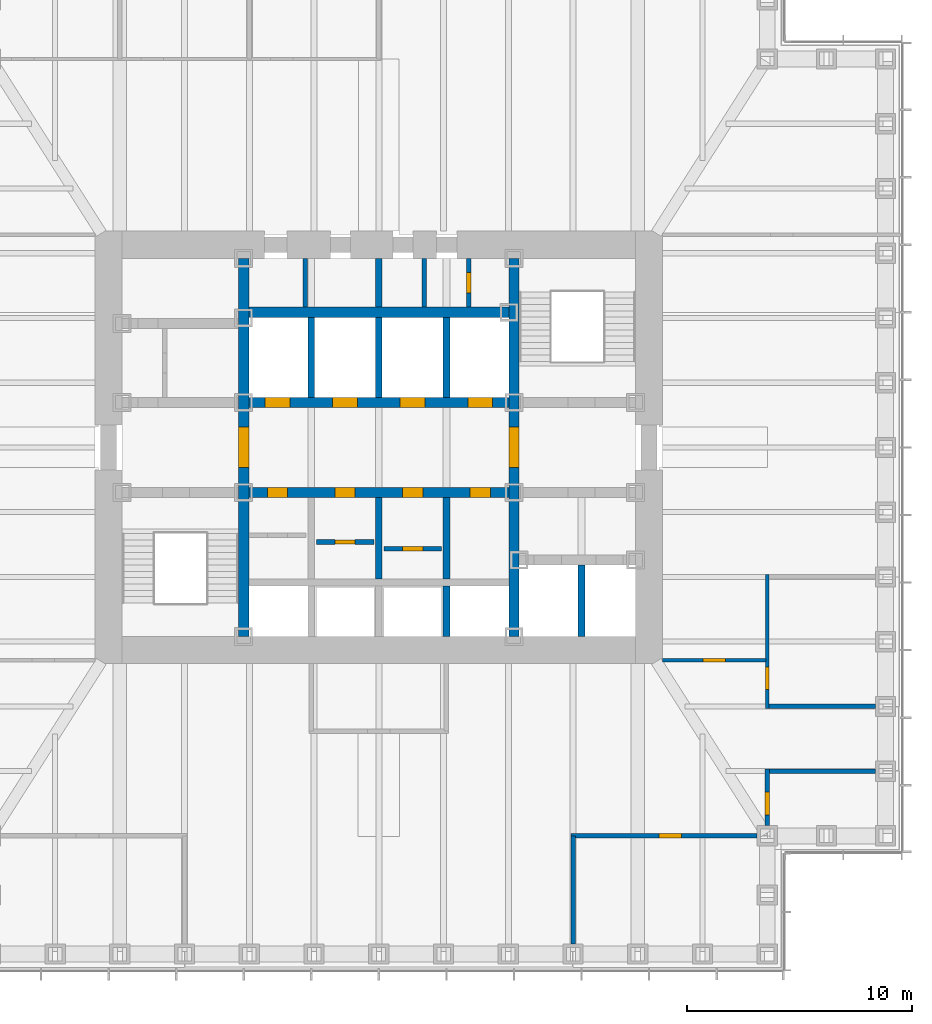
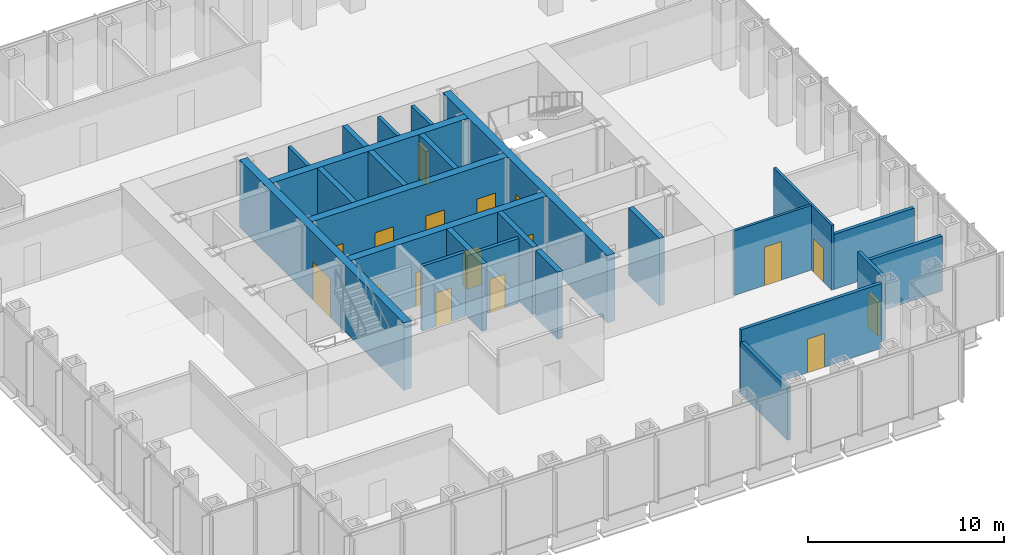
# One storey, part 9 of 16: 25 walls, 17 doors, 17 openings.
"""IFC4 building model written with IfcOpenShell, lengths in metres."""

from ifc_helpers import new_model, si_unit, direction, frame, frame_2d, origin, place, context, subcontext, project, spatial, rectangle, extrude, material, layer, layer_set, type_object, element, fill, save


model = new_model("IFC4")

# Units and contexts
model_context = context("Model", 3, precision=1e-05, world=origin(), true_north=direction((0.0, 1.0)))
body_context = subcontext(model_context, "Body", "Model", "MODEL_VIEW")
ifc_project = project(units=[si_unit("LENGTHUNIT", "METRE"), si_unit("AREAUNIT", "SQUARE_METRE"), si_unit("VOLUMEUNIT", "CUBIC_METRE"), si_unit("PLANEANGLEUNIT", "RADIAN"), si_unit("MASSUNIT", "GRAM", prefix="KILO")], contexts=[model_context])

# Site, building, storey
site_placement = place(None, origin())
site = spatial("IfcSite", under=ifc_project, at=site_placement, CompositionType="ELEMENT")
building_placement = place(site_placement, origin())
building = spatial("IfcBuilding", under=site, at=building_placement, Name="Daluyong Arena Tower", CompositionType="ELEMENT")
storey_placement = place(building_placement, frame((0.0, 0.0, 137.5)))
storey = spatial("IfcBuildingStorey", under=building, at=storey_placement, Name="L30", CompositionType="ELEMENT", Elevation=137.5)

# Wall, opening, door
ifc_material_1 = material(Name="Concrete fc' 45 MPa", Category="concrete")
ifc_layer_1 = layer(ifc_material_1, 0.449951171875)
ifc_layer_set_1 = layer_set([ifc_layer_1], Name="Concrete fc' 45 MPa")
wall_type_1 = type_object("IfcWallType", Name="Core inner wall 450", PredefinedType="SHEAR", material=ifc_layer_set_1)
wall_1_placement = place(storey_placement, frame((50.0, 71.60009765625, 0.0), z_axis=(0.0, 0.0, 1.0), x_axis=(0.0, 1.0, 0.0)))
wall_1 = element("IfcWall", 1, at=wall_1_placement, inside=storey, type_object=wall_type_1, Name="core inner wall at L30", PredefinedType="SHEAR", context=body_context, shape_type="SweptSolid", body=[
    extrude(rectangle(XDim=16.7998046875, YDim=0.449951171875, at=frame_2d((8.39990234375, 0.0))), origin(), (0.0, 0.0, 1.0), 4.199951171875),
])
opening_1_placement = place(wall_1_placement, frame((7.5, 0.0, 0.0)))
opening_1 = element("IfcOpeningElement", 2, at=opening_1_placement, cuts=wall_1, Name="Opening 30020", PredefinedType="OPENING", context=body_context, shape_type="SweptSolid", body=[
    extrude(rectangle(XDim=1.800048828125, YDim=2.39990234375, at=frame_2d((0.89990234375, 1.199951171875))), frame((0.0, 0.23486328125, 0.0), z_axis=(0.0, -1.0, 0.0), x_axis=(1.0, 0.0, 0.0)), (0.0, 0.0, 1.0), 0.469970703125),
])
ifc_material_2 = material(Name="Steel door, fire rated", Category="steel")
door_type_1 = type_object("IfcDoorType", Name="Lift lobby opening door 1800", OperationType="DOUBLE_DOOR_SINGLE_SWING", PredefinedType="DOOR", material=ifc_material_2)
door_1_placement = place(opening_1_placement, origin())
door_1 = element("IfcDoor", 3, at=door_1_placement, inside=storey, type_object=door_type_1, Name="lift lobby door west 30020", OperationType="DOUBLE_DOOR_SINGLE_SWING", OverallHeight=2.39990234375, OverallWidth=1.800048828125, PredefinedType="DOOR", context=body_context, shape_type="SweptSolid", body=[
    extrude(rectangle(XDim=1.800048828125, YDim=2.39990234375, at=frame_2d((0.89990234375, 1.199951171875))), frame((0.0, 0.224609375, 0.0), z_axis=(0.0, -1.0, 0.0), x_axis=(1.0, 0.0, 0.0)), (0.0, 0.0, 1.0), 0.449462890625),
])
fill(opening_1, door_1)

wall_2_placement = place(storey_placement, frame((62.0, 71.60009765625, 0.0), z_axis=(0.0, 0.0, 1.0), x_axis=(0.0, 1.0, 0.0)))
wall_2 = element("IfcWall", 4, at=wall_2_placement, inside=storey, type_object=wall_type_1, Name="core inner wall at L30", PredefinedType="SHEAR", context=body_context, shape_type="SweptSolid", body=[
    extrude(rectangle(XDim=16.7998046875, YDim=0.449951171875, at=frame_2d((8.39990234375, 0.0))), origin(), (0.0, 0.0, 1.0), 4.199951171875),
])
opening_2_placement = place(wall_2_placement, frame((7.5, 0.0, 0.0)))
opening_2 = element("IfcOpeningElement", 5, at=opening_2_placement, cuts=wall_2, Name="Opening 30021", PredefinedType="OPENING", context=body_context, shape_type="SweptSolid", body=[
    extrude(rectangle(XDim=1.800048828125, YDim=2.39990234375, at=frame_2d((0.89990234375, 1.199951171875))), frame((0.0, 0.23486328125, 0.0), z_axis=(0.0, -1.0, 0.0), x_axis=(1.0, 0.0, 0.0)), (0.0, 0.0, 1.0), 0.469970703125),
])
door_2_placement = place(opening_2_placement, origin())
door_2 = element("IfcDoor", 6, at=door_2_placement, inside=storey, type_object=door_type_1, Name="lift lobby door east 30021", OperationType="DOUBLE_DOOR_SINGLE_SWING", OverallHeight=2.39990234375, OverallWidth=1.800048828125, PredefinedType="DOOR", context=body_context, shape_type="SweptSolid", body=[
    extrude(rectangle(XDim=1.800048828125, YDim=2.39990234375, at=frame_2d((0.89990234375, 1.199951171875))), frame((0.0, 0.224609375, 0.0), z_axis=(0.0, -1.0, 0.0), x_axis=(1.0, 0.0, 0.0)), (0.0, 0.0, 1.0), 0.449462890625),
])
fill(opening_2, door_2)

# Wall, openings, doors
wall_3_placement = place(storey_placement, frame((50.22509765625, 78.0, 0.0), z_axis=(0.0, 0.0, 1.0), x_axis=(1.0, 0.0, 0.0)))
wall_3 = element("IfcWall", 7, at=wall_3_placement, inside=storey, type_object=wall_type_1, Name="core inner wall at L30", PredefinedType="SHEAR", context=body_context, shape_type="SweptSolid", body=[
    extrude(rectangle(XDim=11.5498046875, YDim=0.449951171875, at=frame_2d((5.77490234375, 0.0))), origin(), (0.0, 0.0, 1.0), 4.199951171875),
])
opening_3_placement = place(wall_3_placement, frame((0.824951171875, 0.0, 0.0)))
opening_3 = element("IfcOpeningElement", 8, at=opening_3_placement, cuts=wall_3, Name="Opening 30009", PredefinedType="OPENING", context=body_context, shape_type="SweptSolid", body=[
    extrude(rectangle(XDim=0.89990234375, YDim=2.10009765625, at=frame_2d((0.449951171875, 1.050048828125))), frame((0.0, 0.23486328125, 0.0), z_axis=(0.0, -1.0, 0.0), x_axis=(1.0, 0.0, 0.0)), (0.0, 0.0, 1.0), 0.469970703125),
])
opening_4_placement = place(wall_3_placement, frame((3.824951171875, 0.0, 0.0)))
opening_4 = element("IfcOpeningElement", 9, at=opening_4_placement, cuts=wall_3, Name="Opening 30011", PredefinedType="OPENING", context=body_context, shape_type="SweptSolid", body=[
    extrude(rectangle(XDim=0.89990234375, YDim=2.10009765625, at=frame_2d((0.449951171875, 1.050048828125))), frame((0.0, 0.23486328125, 0.0), z_axis=(0.0, -1.0, 0.0), x_axis=(1.0, 0.0, 0.0)), (0.0, 0.0, 1.0), 0.469970703125),
])
opening_5_placement = place(wall_3_placement, frame((6.824951171875, 0.0, 0.0)))
opening_5 = element("IfcOpeningElement", 10, at=opening_5_placement, cuts=wall_3, Name="Opening 30013", PredefinedType="OPENING", context=body_context, shape_type="SweptSolid", body=[
    extrude(rectangle(XDim=0.89990234375, YDim=2.10009765625, at=frame_2d((0.449951171875, 1.050048828125))), frame((0.0, 0.23486328125, 0.0), z_axis=(0.0, -1.0, 0.0), x_axis=(1.0, 0.0, 0.0)), (0.0, 0.0, 1.0), 0.469970703125),
])
opening_6_placement = place(wall_3_placement, frame((9.824951171875, 0.0, 0.0)))
opening_6 = element("IfcOpeningElement", 11, at=opening_6_placement, cuts=wall_3, Name="Opening 30015", PredefinedType="OPENING", context=body_context, shape_type="SweptSolid", body=[
    extrude(rectangle(XDim=0.89990234375, YDim=2.10009765625, at=frame_2d((0.449951171875, 1.050048828125))), frame((0.0, 0.23486328125, 0.0), z_axis=(0.0, -1.0, 0.0), x_axis=(1.0, 0.0, 0.0)), (0.0, 0.0, 1.0), 0.469970703125),
])
ifc_material_3 = material(Name="Steel door, fire rated", Category="steel")
door_type_2 = type_object("IfcDoorType", Name="Core room door 900", OperationType="SINGLE_SWING_LEFT", PredefinedType="DOOR", material=ifc_material_3)
door_3_placement = place(opening_6_placement, origin())
door_3 = element("IfcDoor", 12, at=door_3_placement, inside=storey, type_object=door_type_2, Name="vending room door 30015", OperationType="SINGLE_SWING_LEFT", OverallHeight=2.10009765625, OverallWidth=0.89990234375, PredefinedType="DOOR", context=body_context, shape_type="SweptSolid", body=[
    extrude(rectangle(XDim=0.89990234375, YDim=2.10009765625, at=frame_2d((0.449951171875, 1.050048828125))), frame((0.0, 0.224609375, 0.0), z_axis=(0.0, -1.0, 0.0), x_axis=(1.0, 0.0, 0.0)), (0.0, 0.0, 1.0), 0.449462890625),
])
fill(opening_6, door_3)
ifc_material_4 = material(Name="Steel door, fire rated", Category="steel")
door_type_3 = type_object("IfcDoorType", Name="Core store door 900", OperationType="SINGLE_SWING_LEFT", PredefinedType="DOOR", material=ifc_material_4)
door_4_placement = place(opening_3_placement, origin())
door_4 = element("IfcDoor", 13, at=door_4_placement, inside=storey, type_object=door_type_3, Name="furniture store door 30009", OperationType="SINGLE_SWING_LEFT", OverallHeight=2.10009765625, OverallWidth=0.89990234375, PredefinedType="DOOR", context=body_context, shape_type="SweptSolid", body=[
    extrude(rectangle(XDim=0.89990234375, YDim=2.10009765625, at=frame_2d((0.449951171875, 1.050048828125))), frame((0.0, 0.224609375, 0.0), z_axis=(0.0, -1.0, 0.0), x_axis=(1.0, 0.0, 0.0)), (0.0, 0.0, 1.0), 0.449462890625),
])
fill(opening_3, door_4)
door_5_placement = place(opening_4_placement, origin())
door_5 = element("IfcDoor", 14, at=door_5_placement, inside=storey, type_object=door_type_3, Name="cleaner's store door 30011", OperationType="SINGLE_SWING_LEFT", OverallHeight=2.10009765625, OverallWidth=0.89990234375, PredefinedType="DOOR", context=body_context, shape_type="SweptSolid", body=[
    extrude(rectangle(XDim=0.89990234375, YDim=2.10009765625, at=frame_2d((0.449951171875, 1.050048828125))), frame((0.0, 0.224609375, 0.0), z_axis=(0.0, -1.0, 0.0), x_axis=(1.0, 0.0, 0.0)), (0.0, 0.0, 1.0), 0.449462890625),
])
fill(opening_4, door_5)
door_6_placement = place(opening_5_placement, origin())
door_6 = element("IfcDoor", 15, at=door_6_placement, inside=storey, type_object=door_type_3, Name="facilities store door 30013", OperationType="SINGLE_SWING_LEFT", OverallHeight=2.10009765625, OverallWidth=0.89990234375, PredefinedType="DOOR", context=body_context, shape_type="SweptSolid", body=[
    extrude(rectangle(XDim=0.89990234375, YDim=2.10009765625, at=frame_2d((0.449951171875, 1.050048828125))), frame((0.0, 0.224609375, 0.0), z_axis=(0.0, -1.0, 0.0), x_axis=(1.0, 0.0, 0.0)), (0.0, 0.0, 1.0), 0.449462890625),
])
fill(opening_5, door_6)

wall_4_placement = place(storey_placement, frame((50.22509765625, 82.0, 0.0), z_axis=(0.0, 0.0, 1.0), x_axis=(1.0, 0.0, 0.0)))
wall_4 = element("IfcWall", 16, at=wall_4_placement, inside=storey, type_object=wall_type_1, Name="core inner wall at L30", PredefinedType="SHEAR", context=body_context, shape_type="SweptSolid", body=[
    extrude(rectangle(XDim=11.5498046875, YDim=0.449951171875, at=frame_2d((5.77490234375, 0.0))), origin(), (0.0, 0.0, 1.0), 4.199951171875),
])
opening_7_placement = place(wall_4_placement, frame((0.72509765625, 0.0, 0.0)))
opening_7 = element("IfcOpeningElement", 17, at=opening_7_placement, cuts=wall_4, Name="Opening 30023", PredefinedType="OPENING", context=body_context, shape_type="SweptSolid", body=[
    extrude(rectangle(XDim=1.10009765625, YDim=2.199951171875, at=frame_2d((0.550048828125, 1.10009765625))), frame((0.0, 0.23486328125, 0.0), z_axis=(0.0, -1.0, 0.0), x_axis=(1.0, 0.0, 0.0)), (0.0, 0.0, 1.0), 0.469970703125),
])
opening_8_placement = place(wall_4_placement, frame((3.72509765625, 0.0, 0.0)))
opening_8 = element("IfcOpeningElement", 18, at=opening_8_placement, cuts=wall_4, Name="Opening 30024", PredefinedType="OPENING", context=body_context, shape_type="SweptSolid", body=[
    extrude(rectangle(XDim=1.10009765625, YDim=2.199951171875, at=frame_2d((0.550048828125, 1.10009765625))), frame((0.0, 0.23486328125, 0.0), z_axis=(0.0, -1.0, 0.0), x_axis=(1.0, 0.0, 0.0)), (0.0, 0.0, 1.0), 0.469970703125),
])
opening_9_placement = place(wall_4_placement, frame((6.72509765625, 0.0, 0.0)))
opening_9 = element("IfcOpeningElement", 19, at=opening_9_placement, cuts=wall_4, Name="Opening 30025", PredefinedType="OPENING", context=body_context, shape_type="SweptSolid", body=[
    extrude(rectangle(XDim=1.10009765625, YDim=2.199951171875, at=frame_2d((0.550048828125, 1.10009765625))), frame((0.0, 0.23486328125, 0.0), z_axis=(0.0, -1.0, 0.0), x_axis=(1.0, 0.0, 0.0)), (0.0, 0.0, 1.0), 0.469970703125),
])
opening_10_placement = place(wall_4_placement, frame((9.72509765625, 0.0, 0.0)))
opening_10 = element("IfcOpeningElement", 20, at=opening_10_placement, cuts=wall_4, Name="Opening 30026", PredefinedType="OPENING", context=body_context, shape_type="SweptSolid", body=[
    extrude(rectangle(XDim=1.10009765625, YDim=2.199951171875, at=frame_2d((0.550048828125, 1.10009765625))), frame((0.0, 0.23486328125, 0.0), z_axis=(0.0, -1.0, 0.0), x_axis=(1.0, 0.0, 0.0)), (0.0, 0.0, 1.0), 0.469970703125),
])
ifc_material_5 = material(Name="Steel door, fire rated", Category="steel")
door_type_4 = type_object("IfcDoorType", Name="Lift landing door 1100", OperationType="SLIDING_TO_LEFT", PredefinedType="DOOR", material=ifc_material_5)
door_7_placement = place(opening_7_placement, origin())
door_7 = element("IfcDoor", 21, at=door_7_placement, inside=storey, type_object=door_type_4, Name="lift landing door B1 30023", OperationType="SLIDING_TO_LEFT", OverallHeight=2.199951171875, OverallWidth=1.10009765625, PredefinedType="DOOR", context=body_context, shape_type="SweptSolid", body=[
    extrude(rectangle(XDim=1.10009765625, YDim=2.199951171875, at=frame_2d((0.550048828125, 1.10009765625))), frame((0.0, 0.224609375, 0.0), z_axis=(0.0, -1.0, 0.0), x_axis=(1.0, 0.0, 0.0)), (0.0, 0.0, 1.0), 0.449462890625),
])
fill(opening_7, door_7)
door_8_placement = place(opening_8_placement, origin())
door_8 = element("IfcDoor", 22, at=door_8_placement, inside=storey, type_object=door_type_4, Name="lift landing door B2 30024", OperationType="SLIDING_TO_LEFT", OverallHeight=2.199951171875, OverallWidth=1.10009765625, PredefinedType="DOOR", context=body_context, shape_type="SweptSolid", body=[
    extrude(rectangle(XDim=1.10009765625, YDim=2.199951171875, at=frame_2d((0.550048828125, 1.10009765625))), frame((0.0, 0.224609375, 0.0), z_axis=(0.0, -1.0, 0.0), x_axis=(1.0, 0.0, 0.0)), (0.0, 0.0, 1.0), 0.449462890625),
])
fill(opening_8, door_8)
door_9_placement = place(opening_9_placement, origin())
door_9 = element("IfcDoor", 23, at=door_9_placement, inside=storey, type_object=door_type_4, Name="lift landing door B3 30025", OperationType="SLIDING_TO_LEFT", OverallHeight=2.199951171875, OverallWidth=1.10009765625, PredefinedType="DOOR", context=body_context, shape_type="SweptSolid", body=[
    extrude(rectangle(XDim=1.10009765625, YDim=2.199951171875, at=frame_2d((0.550048828125, 1.10009765625))), frame((0.0, 0.224609375, 0.0), z_axis=(0.0, -1.0, 0.0), x_axis=(1.0, 0.0, 0.0)), (0.0, 0.0, 1.0), 0.449462890625),
])
fill(opening_9, door_9)
door_10_placement = place(opening_10_placement, origin())
door_10 = element("IfcDoor", 24, at=door_10_placement, inside=storey, type_object=door_type_4, Name="lift landing door B4 30026", OperationType="SLIDING_TO_LEFT", OverallHeight=2.199951171875, OverallWidth=1.10009765625, PredefinedType="DOOR", context=body_context, shape_type="SweptSolid", body=[
    extrude(rectangle(XDim=1.10009765625, YDim=2.199951171875, at=frame_2d((0.550048828125, 1.10009765625))), frame((0.0, 0.224609375, 0.0), z_axis=(0.0, -1.0, 0.0), x_axis=(1.0, 0.0, 0.0)), (0.0, 0.0, 1.0), 0.449462890625),
])
fill(opening_10, door_10)

# Walls
wall_5_placement = place(storey_placement, frame((50.22509765625, 86.0, 0.0), z_axis=(0.0, 0.0, 1.0), x_axis=(1.0, 0.0, 0.0)))
element("IfcWall", 25, at=wall_5_placement, inside=storey, type_object=wall_type_1, Name="core inner wall at L30", PredefinedType="SHEAR", context=body_context, shape_type="SweptSolid", body=[
    extrude(rectangle(XDim=11.5498046875, YDim=0.449951171875, at=frame_2d((5.77490234375, 0.0))), origin(), (0.0, 0.0, 1.0), 4.199951171875),
])
ifc_material_6 = material(Name="Concrete block partition, fire rated", Category="concrete")
ifc_layer_2 = layer(ifc_material_6, 0.199951171875)
ifc_layer_set_2 = layer_set([ifc_layer_2], Name="Concrete block partition, fire rated")
wall_type_2 = type_object("IfcWallType", Name="Fire-rated partition 200", PredefinedType="PARTITIONING", material=ifc_layer_set_2)
wall_6_placement = place(storey_placement, frame((52.72509765625, 86.22509765625, 0.0), z_axis=(0.0, 0.0, 1.0), x_axis=(0.0, 1.0, 0.0)))
element("IfcWall", 26, at=wall_6_placement, inside=storey, type_object=wall_type_2, Name="core room partition at L30", PredefinedType="PARTITIONING", context=body_context, shape_type="SweptSolid", body=[
    extrude(rectangle(XDim=2.1748046875, YDim=0.199951171875, at=frame_2d((1.08740234375, 0.0))), origin(), (0.0, 0.0, 1.0), 4.0400390625),
])

# Wall, opening, door
wall_7_placement = place(storey_placement, frame((60.0, 86.22509765625, 0.0), z_axis=(0.0, 0.0, 1.0), x_axis=(0.0, 1.0, 0.0)))
wall_7 = element("IfcWall", 27, at=wall_7_placement, inside=storey, type_object=wall_type_2, Name="electrical riser enclosure at L30", PredefinedType="PARTITIONING", context=body_context, shape_type="SweptSolid", body=[
    extrude(rectangle(XDim=2.1748046875, YDim=0.199951171875, at=frame_2d((1.08740234375, 0.0))), origin(), (0.0, 0.0, 1.0), 4.0400390625),
])
opening_11_placement = place(wall_7_placement, frame((0.637451171875, 0.0, 0.0)))
opening_11 = element("IfcOpeningElement", 28, at=opening_11_placement, cuts=wall_7, Name="Opening 30008", PredefinedType="OPENING", context=body_context, shape_type="SweptSolid", body=[
    extrude(rectangle(XDim=0.89990234375, YDim=2.10009765625, at=frame_2d((0.449951171875, 1.050048828125))), frame((0.0, 0.10986328125, 0.0), z_axis=(0.0, -1.0, 0.0), x_axis=(1.0, 0.0, 0.0)), (0.0, 0.0, 1.0), 0.219970703125),
])
ifc_material_7 = material(Name="Steel door, fire rated", Category="steel")
door_type_5 = type_object("IfcDoorType", Name="Riser door 900", OperationType="SINGLE_SWING_LEFT", PredefinedType="DOOR", material=ifc_material_7)
door_11_placement = place(opening_11_placement, origin())
door_11 = element("IfcDoor", 29, at=door_11_placement, inside=storey, type_object=door_type_5, Name="riser door 30008", OperationType="SINGLE_SWING_LEFT", OverallHeight=2.10009765625, OverallWidth=0.89990234375, PredefinedType="DOOR", context=body_context, shape_type="SweptSolid", body=[
    extrude(rectangle(XDim=0.89990234375, YDim=2.10009765625, at=frame_2d((0.449951171875, 1.050048828125))), frame((0.0, 0.099609375, 0.0), z_axis=(0.0, -1.0, 0.0), x_axis=(1.0, 0.0, 0.0)), (0.0, 0.0, 1.0), 0.199462890625),
])
fill(opening_11, door_11)

# Wall
wall_8_placement = place(storey_placement, frame((58.02490234375, 86.22509765625, 0.0), z_axis=(0.0, 0.0, 1.0), x_axis=(0.0, 1.0, 0.0)))
element("IfcWall", 30, at=wall_8_placement, inside=storey, type_object=wall_type_2, Name="core room partition at L30", PredefinedType="PARTITIONING", context=body_context, shape_type="SweptSolid", body=[
    extrude(rectangle(XDim=2.1748046875, YDim=0.199951171875, at=frame_2d((1.08740234375, 0.0))), origin(), (0.0, 0.0, 1.0), 4.0400390625),
])

# Wall, opening, door
wall_9_placement = place(storey_placement, frame((53.22509765625, 75.800048828125, 0.0), z_axis=(0.0, 0.0, 1.0), x_axis=(1.0, 0.0, 0.0)))
wall_9 = element("IfcWall", 31, at=wall_9_placement, inside=storey, type_object=wall_type_2, Name="back store partition at L30", PredefinedType="PARTITIONING", context=body_context, shape_type="SweptSolid", body=[
    extrude(rectangle(XDim=2.5498046875, YDim=0.199951171875, at=frame_2d((1.27490234375, 0.0))), origin(), (0.0, 0.0, 1.0), 4.0400390625),
])
opening_12_placement = place(wall_9_placement, frame((0.824951171875, 0.0, 0.0)))
opening_12 = element("IfcOpeningElement", 32, at=opening_12_placement, cuts=wall_9, Name="Opening 30012", PredefinedType="OPENING", context=body_context, shape_type="SweptSolid", body=[
    extrude(rectangle(XDim=0.89990234375, YDim=2.10009765625, at=frame_2d((0.449951171875, 1.050048828125))), frame((0.0, 0.10986328125, 0.0), z_axis=(0.0, -1.0, 0.0), x_axis=(1.0, 0.0, 0.0)), (0.0, 0.0, 1.0), 0.219970703125),
])
door_12_placement = place(opening_12_placement, origin())
door_12 = element("IfcDoor", 33, at=door_12_placement, inside=storey, type_object=door_type_3, Name="stationery store door 30012", OperationType="SINGLE_SWING_LEFT", OverallHeight=2.10009765625, OverallWidth=0.89990234375, PredefinedType="DOOR", context=body_context, shape_type="SweptSolid", body=[
    extrude(rectangle(XDim=0.89990234375, YDim=2.10009765625, at=frame_2d((0.449951171875, 1.050048828125))), frame((0.0, 0.099609375, 0.0), z_axis=(0.0, -1.0, 0.0), x_axis=(1.0, 0.0, 0.0)), (0.0, 0.0, 1.0), 0.199462890625),
])
fill(opening_12, door_12)

wall_10_placement = place(storey_placement, frame((56.22509765625, 75.5, 0.0), z_axis=(0.0, 0.0, 1.0), x_axis=(1.0, 0.0, 0.0)))
wall_10 = element("IfcWall", 34, at=wall_10_placement, inside=storey, type_object=wall_type_2, Name="back store partition at L30", PredefinedType="PARTITIONING", context=body_context, shape_type="SweptSolid", body=[
    extrude(rectangle(XDim=2.5498046875, YDim=0.199951171875, at=frame_2d((1.27490234375, 0.0))), origin(), (0.0, 0.0, 1.0), 4.0400390625),
])
opening_13_placement = place(wall_10_placement, frame((0.824951171875, 0.0, 0.0)))
opening_13 = element("IfcOpeningElement", 35, at=opening_13_placement, cuts=wall_10, Name="Opening 30014", PredefinedType="OPENING", context=body_context, shape_type="SweptSolid", body=[
    extrude(rectangle(XDim=0.89990234375, YDim=2.10009765625, at=frame_2d((0.449951171875, 1.050048828125))), frame((0.0, 0.10986328125, 0.0), z_axis=(0.0, -1.0, 0.0), x_axis=(1.0, 0.0, 0.0)), (0.0, 0.0, 1.0), 0.219970703125),
])
door_13_placement = place(opening_13_placement, origin())
door_13 = element("IfcDoor", 36, at=door_13_placement, inside=storey, type_object=door_type_3, Name="archive store door 30014", OperationType="SINGLE_SWING_LEFT", OverallHeight=2.10009765625, OverallWidth=0.89990234375, PredefinedType="DOOR", context=body_context, shape_type="SweptSolid", body=[
    extrude(rectangle(XDim=0.89990234375, YDim=2.10009765625, at=frame_2d((0.449951171875, 1.050048828125))), frame((0.0, 0.099609375, 0.0), z_axis=(0.0, -1.0, 0.0), x_axis=(1.0, 0.0, 0.0)), (0.0, 0.0, 1.0), 0.199462890625),
])
fill(opening_13, door_13)

ifc_material_8 = material(Name="Glazed aluminium partition", Category="aluminium")
ifc_layer_3 = layer(ifc_material_8, 0.14990234375)
ifc_layer_set_3 = layer_set([ifc_layer_3], Name="Glazed aluminium partition")
wall_type_3 = type_object("IfcWallType", Name="Glazed partition 150", PredefinedType="PARTITIONING", material=ifc_layer_set_3)
wall_11_placement = place(storey_placement, frame((68.60009765625, 70.550048828125, 0.0), z_axis=(0.0, 0.0, 1.0), x_axis=(1.0, 0.0, 0.0)))
wall_11 = element("IfcWall", 37, at=wall_11_placement, inside=storey, type_object=wall_type_3, Name="glazed partition at L30", PredefinedType="PARTITIONING", context=body_context, shape_type="SweptSolid", body=[
    extrude(rectangle(XDim=4.599853515625, YDim=0.14990234375, at=frame_2d((2.2998046875, 0.0))), origin(), (0.0, 0.0, 1.0), 4.0400390625),
])
opening_14_placement = place(wall_11_placement, frame((1.800048828125, 0.0, 0.0)))
opening_14 = element("IfcOpeningElement", 38, at=opening_14_placement, cuts=wall_11, Name="Opening 30041", PredefinedType="OPENING", context=body_context, shape_type="SweptSolid", body=[
    extrude(rectangle(XDim=1.0, YDim=2.39990234375, at=frame_2d((0.5, 1.199951171875))), frame((0.0, 0.0849609375, 0.0), z_axis=(0.0, -1.0, 0.0), x_axis=(1.0, 0.0, 0.0)), (0.0, 0.0, 1.0), 0.169921875),
])
ifc_material_9 = material(Name="Glazed aluminium door", Category="aluminium")
door_type_6 = type_object("IfcDoorType", Name="Meeting room glazed door 1000", OperationType="SINGLE_SWING_RIGHT", PredefinedType="DOOR", material=ifc_material_9)
door_14_placement = place(opening_14_placement, origin())
door_14 = element("IfcDoor", 39, at=door_14_placement, inside=storey, type_object=door_type_6, Name="team area screen door 30041", OperationType="SINGLE_SWING_RIGHT", OverallHeight=2.39990234375, OverallWidth=1.0, PredefinedType="DOOR", context=body_context, shape_type="SweptSolid", body=[
    extrude(rectangle(XDim=1.0, YDim=2.39990234375, at=frame_2d((0.5, 1.199951171875))), frame((0.0, 0.07470703125, 0.0), z_axis=(0.0, -1.0, 0.0), x_axis=(1.0, 0.0, 0.0)), (0.0, 0.0, 1.0), 0.1494140625),
])
fill(opening_14, door_14)

wall_12_placement = place(storey_placement, frame((73.25, 68.39990234375, 0.0), z_axis=(0.0, 0.0, 1.0), x_axis=(0.0, 1.0, 0.0)))
wall_12 = element("IfcWall", 40, at=wall_12_placement, inside=storey, type_object=wall_type_3, Name="glazed partition at L30", PredefinedType="PARTITIONING", context=body_context, shape_type="SweptSolid", body=[
    extrude(rectangle(XDim=5.9501953125, YDim=0.14990234375, at=frame_2d((2.97509765625, 0.0))), origin(), (0.0, 0.0, 1.0), 4.0400390625),
])
opening_15_placement = place(wall_12_placement, frame((0.85009765625, 0.0, 0.0)))
opening_15 = element("IfcOpeningElement", 41, at=opening_15_placement, cuts=wall_12, Name="Opening 30032", PredefinedType="OPENING", context=body_context, shape_type="SweptSolid", body=[
    extrude(rectangle(XDim=1.0, YDim=2.10009765625, at=frame_2d((0.5, 1.050048828125))), frame((0.0, 0.0849609375, 0.0), z_axis=(0.0, -1.0, 0.0), x_axis=(1.0, 0.0, 0.0)), (0.0, 0.0, 1.0), 0.169921875),
])
ifc_material_10 = material(Name="Timber door", Category="wood")
door_type_7 = type_object("IfcDoorType", Name="Room door 1000", OperationType="SINGLE_SWING_LEFT", PredefinedType="DOOR", material=ifc_material_10)
door_15_placement = place(opening_15_placement, origin())
door_15 = element("IfcDoor", 42, at=door_15_placement, inside=storey, type_object=door_type_7, Name="office door 30032", OperationType="SINGLE_SWING_LEFT", OverallHeight=2.10009765625, OverallWidth=1.0, PredefinedType="DOOR", context=body_context, shape_type="SweptSolid", body=[
    extrude(rectangle(XDim=1.0, YDim=2.10009765625, at=frame_2d((0.5, 1.050048828125))), frame((0.0, 0.07470703125, 0.0), z_axis=(0.0, -1.0, 0.0), x_axis=(1.0, 0.0, 0.0)), (0.0, 0.0, 1.0), 0.1494140625),
])
fill(opening_15, door_15)

# Walls
ifc_material_11 = material(Name="Concrete fc' 45 MPa", Category="concrete")
ifc_layer_4 = layer(ifc_material_11, 0.300048828125)
ifc_layer_set_4 = layer_set([ifc_layer_4], Name="Concrete fc' 45 MPa")
wall_type_4 = type_object("IfcWallType", Name="Lift shaft wall 300", PredefinedType="SHEAR", material=ifc_layer_set_4)
wall_13_placement = place(storey_placement, frame((53.0, 82.22509765625, 0.0), z_axis=(0.0, 0.0, 1.0), x_axis=(0.0, 1.0, 0.0)))
element("IfcWall", 43, at=wall_13_placement, inside=storey, type_object=wall_type_4, Name="lift shaft wall at L30", PredefinedType="SHEAR", context=body_context, shape_type="SweptSolid", body=[
    extrude(rectangle(XDim=3.5498046875, YDim=0.300048828125, at=frame_2d((1.77490234375, 0.0))), origin(), (0.0, 0.0, 1.0), 4.199951171875),
])
wall_14_placement = place(storey_placement, frame((56.0, 74.14990234375, 0.0), z_axis=(0.0, 0.0, 1.0), x_axis=(0.0, 1.0, 0.0)))
element("IfcWall", 44, at=wall_14_placement, inside=storey, type_object=wall_type_4, Name="lift shaft wall at L30", PredefinedType="SHEAR", context=body_context, shape_type="SweptSolid", body=[
    extrude(rectangle(XDim=3.625, YDim=0.300048828125, at=frame_2d((1.8125, 0.0))), origin(), (0.0, 0.0, 1.0), 4.199951171875),
])
wall_15_placement = place(storey_placement, frame((56.0, 82.22509765625, 0.0), z_axis=(0.0, 0.0, 1.0), x_axis=(0.0, 1.0, 0.0)))
element("IfcWall", 45, at=wall_15_placement, inside=storey, type_object=wall_type_4, Name="lift shaft wall at L30", PredefinedType="SHEAR", context=body_context, shape_type="SweptSolid", body=[
    extrude(rectangle(XDim=3.5498046875, YDim=0.300048828125, at=frame_2d((1.77490234375, 0.0))), origin(), (0.0, 0.0, 1.0), 4.199951171875),
])
wall_16_placement = place(storey_placement, frame((59.0, 71.60009765625, 0.0), z_axis=(0.0, 0.0, 1.0), x_axis=(0.0, 1.0, 0.0)))
element("IfcWall", 46, at=wall_16_placement, inside=storey, type_object=wall_type_4, Name="lift shaft wall at L30", PredefinedType="SHEAR", context=body_context, shape_type="SweptSolid", body=[
    extrude(rectangle(XDim=2.25, YDim=0.300048828125, at=frame_2d((1.125, 0.0))), origin(), (0.0, 0.0, 1.0), 4.199951171875),
])
wall_17_placement = place(storey_placement, frame((59.0, 74.14990234375, 0.0), z_axis=(0.0, 0.0, 1.0), x_axis=(0.0, 1.0, 0.0)))
element("IfcWall", 47, at=wall_17_placement, inside=storey, type_object=wall_type_4, Name="lift shaft wall at L30", PredefinedType="SHEAR", context=body_context, shape_type="SweptSolid", body=[
    extrude(rectangle(XDim=3.625, YDim=0.300048828125, at=frame_2d((1.8125, 0.0))), origin(), (0.0, 0.0, 1.0), 4.199951171875),
])
wall_18_placement = place(storey_placement, frame((59.0, 82.22509765625, 0.0), z_axis=(0.0, 0.0, 1.0), x_axis=(0.0, 1.0, 0.0)))
element("IfcWall", 48, at=wall_18_placement, inside=storey, type_object=wall_type_4, Name="lift shaft wall at L30", PredefinedType="SHEAR", context=body_context, shape_type="SweptSolid", body=[
    extrude(rectangle(XDim=3.5498046875, YDim=0.300048828125, at=frame_2d((1.77490234375, 0.0))), origin(), (0.0, 0.0, 1.0), 4.199951171875),
])
wall_19_placement = place(storey_placement, frame((65.0, 71.60009765625, 0.0), z_axis=(0.0, 0.0, 1.0), x_axis=(0.0, 1.0, 0.0)))
element("IfcWall", 49, at=wall_19_placement, inside=storey, type_object=wall_type_4, Name="lift shaft wall at L30", PredefinedType="SHEAR", context=body_context, shape_type="SweptSolid", body=[
    extrude(rectangle(XDim=3.1748046875, YDim=0.300048828125, at=frame_2d((1.58740234375, 0.0))), origin(), (0.0, 0.0, 1.0), 4.199951171875),
])
wall_20_placement = place(storey_placement, frame((56.0, 86.22509765625, 0.0), z_axis=(0.0, 0.0, 1.0), x_axis=(0.0, 1.0, 0.0)))
element("IfcWall", 50, at=wall_20_placement, inside=storey, type_object=wall_type_4, Name="lift shaft wall at L30", PredefinedType="SHEAR", context=body_context, shape_type="SweptSolid", body=[
    extrude(rectangle(XDim=2.1748046875, YDim=0.300048828125, at=frame_2d((1.08740234375, 0.0))), origin(), (0.0, 0.0, 1.0), 4.199951171875),
])
ifc_material_12 = material(Name="Concrete block partition", Category="concrete")
ifc_layer_5 = layer(ifc_material_12, 0.199951171875)
ifc_layer_set_5 = layer_set([ifc_layer_5], Name="Concrete block partition")
wall_type_5 = type_object("IfcWallType", Name="Partition 200", PredefinedType="PARTITIONING", material=ifc_layer_set_5)
wall_21_placement = place(storey_placement, frame((64.625, 57.949951171875, 0.0), z_axis=(0.0, 0.0, 1.0), x_axis=(0.0, 1.0, 0.0)))
element("IfcWall", 51, at=wall_21_placement, inside=storey, type_object=wall_type_5, Name="partition at L30", PredefinedType="PARTITIONING", context=body_context, shape_type="SweptSolid", body=[
    extrude(rectangle(XDim=4.800048828125, YDim=0.199951171875, at=frame_2d((2.39990234375, 0.0))), origin(), (0.0, 0.0, 1.0), 3.278076171875),
])
for number, where, z_axis, x_axis, name in (
    (52, (73.25, 65.625, 0.0), (0.0, 0.0, 1.0), (1.0, 0.0, 0.0), "partition at L30"),
    (53, (73.25, 68.5, 0.0), (0.0, 0.0, 1.0), (1.0, 0.0, 0.0), "partition at L30"),
):
    element("IfcWall", number, at=place(storey_placement, frame(where, z_axis=z_axis, x_axis=x_axis)), inside=storey, type_object=wall_type_5, Name=name, PredefinedType="PARTITIONING", context=body_context, shape_type="SweptSolid", body=[
        extrude(rectangle(XDim=4.800048828125, YDim=0.199951171875, at=frame_2d((2.39990234375, 0.0))), origin(), (0.0, 0.0, 1.0), 3.427978515625),
    ])

# Wall, opening, door
wall_22_placement = place(storey_placement, frame((64.52490234375, 62.75, 0.0), z_axis=(0.0, 0.0, 1.0), x_axis=(1.0, 0.0, 0.0)))
wall_22 = element("IfcWall", 54, at=wall_22_placement, inside=storey, type_object=wall_type_5, Name="partition at L30", PredefinedType="PARTITIONING", context=body_context, shape_type="SweptSolid", body=[
    extrude(rectangle(XDim=8.275146484375, YDim=0.199951171875, at=frame_2d((4.1376953125, 0.0))), origin(), (0.0, 0.0, 1.0), 4.0400390625),
])
opening_16_placement = place(wall_22_placement, frame((3.91259765625, 0.0, 0.0)))
opening_16 = element("IfcOpeningElement", 55, at=opening_16_placement, cuts=wall_22, Name="Opening 30030", PredefinedType="OPENING", context=body_context, shape_type="SweptSolid", body=[
    extrude(rectangle(XDim=1.0, YDim=2.10009765625, at=frame_2d((0.5, 1.050048828125))), frame((0.0, 0.10986328125, 0.0), z_axis=(0.0, -1.0, 0.0), x_axis=(1.0, 0.0, 0.0)), (0.0, 0.0, 1.0), 0.219970703125),
])
door_16_placement = place(opening_16_placement, origin())
door_16 = element("IfcDoor", 56, at=door_16_placement, inside=storey, type_object=door_type_7, Name="training room door 30030", OperationType="SINGLE_SWING_LEFT", OverallHeight=2.10009765625, OverallWidth=1.0, PredefinedType="DOOR", context=body_context, shape_type="SweptSolid", body=[
    extrude(rectangle(XDim=1.0, YDim=2.10009765625, at=frame_2d((0.5, 1.050048828125))), frame((0.0, 0.099609375, 0.0), z_axis=(0.0, -1.0, 0.0), x_axis=(1.0, 0.0, 0.0)), (0.0, 0.0, 1.0), 0.199462890625),
])
fill(opening_16, door_16)

wall_23_placement = place(storey_placement, frame((73.25, 63.199951171875, 0.0), z_axis=(0.0, 0.0, 1.0), x_axis=(0.0, 1.0, 0.0)))
wall_23 = element("IfcWall", 57, at=wall_23_placement, inside=storey, type_object=wall_type_5, Name="partition at L30", PredefinedType="PARTITIONING", context=body_context, shape_type="SweptSolid", body=[
    extrude(rectangle(XDim=2.525146484375, YDim=0.199951171875, at=frame_2d((1.2626953125, 0.0))), origin(), (0.0, 0.0, 1.0), 4.0400390625),
])
opening_17_placement = place(wall_23_placement, frame((0.487548828125, 0.0, 0.0)))
opening_17 = element("IfcOpeningElement", 58, at=opening_17_placement, cuts=wall_23, Name="Opening 30031", PredefinedType="OPENING", context=body_context, shape_type="SweptSolid", body=[
    extrude(rectangle(XDim=1.0, YDim=2.10009765625, at=frame_2d((0.5, 1.050048828125))), frame((0.0, 0.10986328125, 0.0), z_axis=(0.0, -1.0, 0.0), x_axis=(1.0, 0.0, 0.0)), (0.0, 0.0, 1.0), 0.219970703125),
])
door_17_placement = place(opening_17_placement, origin())
door_17 = element("IfcDoor", 59, at=door_17_placement, inside=storey, type_object=door_type_7, Name="quiet room door 30031", OperationType="SINGLE_SWING_LEFT", OverallHeight=2.10009765625, OverallWidth=1.0, PredefinedType="DOOR", context=body_context, shape_type="SweptSolid", body=[
    extrude(rectangle(XDim=1.0, YDim=2.10009765625, at=frame_2d((0.5, 1.050048828125))), frame((0.0, 0.099609375, 0.0), z_axis=(0.0, -1.0, 0.0), x_axis=(1.0, 0.0, 0.0)), (0.0, 0.0, 1.0), 0.199462890625),
])
fill(opening_17, door_17)

save(model, "model.ifc")
